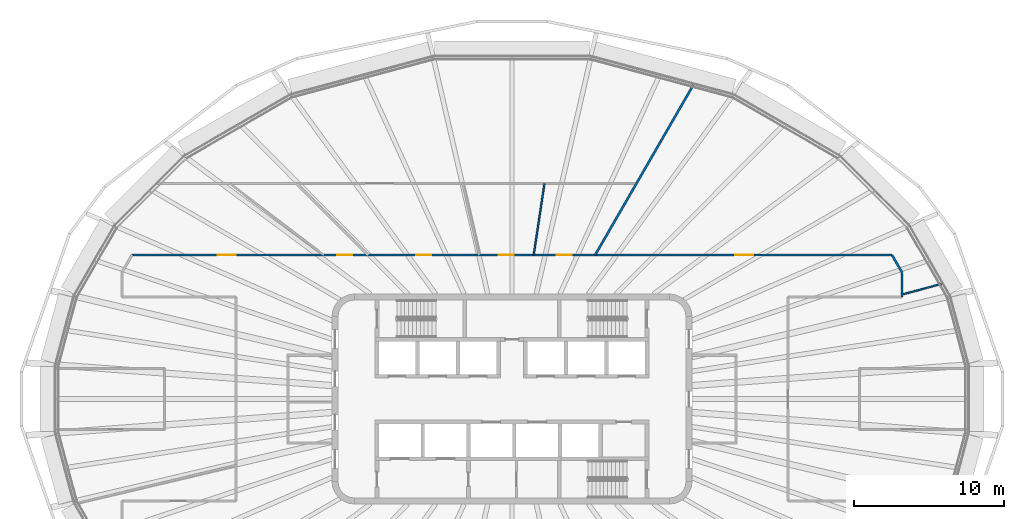
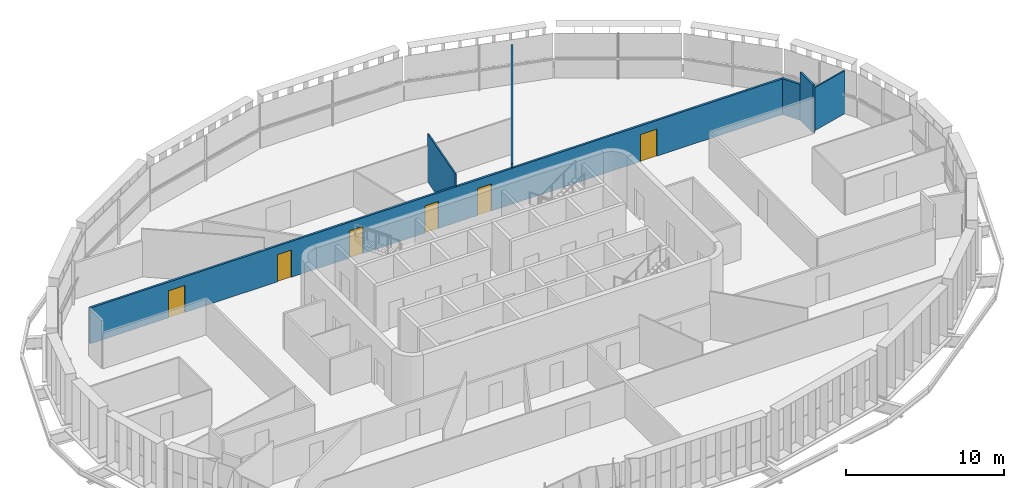
# One storey, part 13 of 20: 6 doors, 6 walls, 6 openings.
"""IFC4 building model written with IfcOpenShell, lengths in metres."""

from ifc_helpers import new_model, si_unit, direction, frame, frame_2d, origin, place, context, subcontext, project, spatial, rectangle, extrude, material, layer, layer_set, type_object, element, fill, save


model = new_model("IFC4")

# Units and contexts
model_context = context("Model", 3, precision=1e-05, world=origin(), true_north=direction((0.0, 1.0)))
body_context = subcontext(model_context, "Body", "Model", "MODEL_VIEW")
ifc_project = project(units=[si_unit("LENGTHUNIT", "METRE"), si_unit("AREAUNIT", "SQUARE_METRE"), si_unit("VOLUMEUNIT", "CUBIC_METRE"), si_unit("PLANEANGLEUNIT", "RADIAN"), si_unit("MASSUNIT", "GRAM", prefix="KILO")], contexts=[model_context])

# Site, building, storey
site_placement = place(None, origin())
site = spatial("IfcSite", under=ifc_project, at=site_placement, CompositionType="ELEMENT")
building_placement = place(site_placement, origin())
building = spatial("IfcBuilding", under=site, at=building_placement, Name="Sahrelin Media Tower", CompositionType="ELEMENT")
storey_placement = place(building_placement, frame((0.0, 0.0, 245.60009765625)))
storey = spatial("IfcBuildingStorey", under=building, at=storey_placement, Name="L53", CompositionType="ELEMENT", Elevation=245.60009765625)

# Wall
ifc_material_1 = material(Name="Fire-rated gypsum board partition")
ifc_layer_1 = layer(ifc_material_1, 0.14990234375)
ifc_layer_set_1 = layer_set([ifc_layer_1], Name="Fire-rated partition 150")
wall_type_1 = type_object("IfcWallType", Name="Fire-rated partition 150", PredefinedType="PARTITIONING", material=ifc_layer_set_1)
wall_1_placement = place(storey_placement, frame((25.3330078125, 9.60009765625, 0.0), z_axis=(0.0, 0.0, 1.0), x_axis=(0.500076310463, -0.865981341435, 0.0)))
element("IfcWall", 1, at=wall_1_placement, inside=storey, type_object=wall_type_1, Name="Wall", PredefinedType="PARTITIONING", context=body_context, shape_type="SweptSolid", body=[
    extrude(rectangle(XDim=1.333740234375, YDim=0.14990234375, at=frame_2d((0.6669921875, 0.0))), origin(), (0.0, 0.0, 1.0), 2.76806640625),
])

# Wall, openings, doors
wall_2_placement = place(storey_placement, frame((-25.3330078125, 9.60009765625, 0.0), z_axis=(0.0, 0.0, 1.0), x_axis=(1.0, 0.0, 0.0)))
wall_2 = element("IfcWall", 2, at=wall_2_placement, inside=storey, type_object=wall_type_1, Name="Wall", PredefinedType="PARTITIONING", context=body_context, shape_type="SweptSolid", body=[
    extrude(rectangle(XDim=50.666015625, YDim=0.14990234375, at=frame_2d((25.3330078125, 0.0))), origin(), (0.0, 0.0, 1.0), 2.76806640625),
])
opening_1_placement = place(wall_2_placement, frame((40.22119140625, 0.0, 0.0)))
opening_1 = element("IfcOpeningElement", 3, at=opening_1_placement, cuts=wall_2, Name="Opening L53-D17", PredefinedType="OPENING", context=body_context, shape_type="SweptSolid", body=[
    extrude(rectangle(XDim=1.199951171875, YDim=2.10009765625, at=frame_2d((0.60009765625, 1.050048828125))), frame((0.0, 0.074951171875, 0.0), z_axis=(0.0, -1.0, 0.0), x_axis=(1.0, 0.0, 0.0)), (0.0, 0.0, 1.0), 0.14990234375),
])
opening_2_placement = place(wall_2_placement, frame((28.327880859375, 0.0, 0.0)))
opening_2 = element("IfcOpeningElement", 4, at=opening_2_placement, cuts=wall_2, Name="Opening L53-D19", PredefinedType="OPENING", context=body_context, shape_type="SweptSolid", body=[
    extrude(rectangle(XDim=1.0, YDim=2.10009765625, at=frame_2d((0.5, 1.050048828125))), frame((0.0, 0.074951171875, 0.0), z_axis=(0.0, -1.0, 0.0), x_axis=(1.0, 0.0, 0.0)), (0.0, 0.0, 1.0), 0.14990234375),
])
opening_3_placement = place(wall_2_placement, frame((24.4609375, 0.0, 0.0)))
opening_3 = element("IfcOpeningElement", 5, at=opening_3_placement, cuts=wall_2, Name="Opening L53-D20", PredefinedType="OPENING", context=body_context, shape_type="SweptSolid", body=[
    extrude(rectangle(XDim=1.0, YDim=2.10009765625, at=frame_2d((0.5, 1.050048828125))), frame((0.0, 0.074951171875, 0.0), z_axis=(0.0, -1.0, 0.0), x_axis=(1.0, 0.0, 0.0)), (0.0, 0.0, 1.0), 0.14990234375),
])
opening_4_placement = place(wall_2_placement, frame((18.9375, 0.0, 0.0)))
opening_4 = element("IfcOpeningElement", 6, at=opening_4_placement, cuts=wall_2, Name="Opening L53-D21", PredefinedType="OPENING", context=body_context, shape_type="SweptSolid", body=[
    extrude(rectangle(XDim=1.0, YDim=2.10009765625, at=frame_2d((0.5, 1.050048828125))), frame((0.0, 0.074951171875, 0.0), z_axis=(0.0, -1.0, 0.0), x_axis=(1.0, 0.0, 0.0)), (0.0, 0.0, 1.0), 0.14990234375),
])
opening_5_placement = place(wall_2_placement, frame((13.6953125, 0.0, 0.0)))
opening_5 = element("IfcOpeningElement", 7, at=opening_5_placement, cuts=wall_2, Name="Opening L53-D23", PredefinedType="OPENING", context=body_context, shape_type="SweptSolid", body=[
    extrude(rectangle(XDim=1.0, YDim=2.10009765625, at=frame_2d((0.5, 1.050048828125))), frame((0.0, 0.074951171875, 0.0), z_axis=(0.0, -1.0, 0.0), x_axis=(1.0, 0.0, 0.0)), (0.0, 0.0, 1.0), 0.14990234375),
])
opening_6_placement = place(wall_2_placement, frame((5.733154296875, 0.0, 0.0)))
opening_6 = element("IfcOpeningElement", 8, at=opening_6_placement, cuts=wall_2, Name="Opening L53-D24", PredefinedType="OPENING", context=body_context, shape_type="SweptSolid", body=[
    extrude(rectangle(XDim=1.199951171875, YDim=2.10009765625, at=frame_2d((0.60009765625, 1.050048828125))), frame((0.0, 0.074951171875, 0.0), z_axis=(0.0, -1.0, 0.0), x_axis=(1.0, 0.0, 0.0)), (0.0, 0.0, 1.0), 0.14990234375),
])
ifc_material_2 = material(Name="Steel fire door leaf", Category="steel")
door_type_1 = type_object("IfcDoorType", Name="Fire door 1000 x 2100 EI 60", OperationType="NOTDEFINED", PredefinedType="DOOR", material=ifc_material_2)
door_1_placement = place(opening_2_placement, origin())
door_1 = element("IfcDoor", 9, at=door_1_placement, inside=storey, type_object=door_type_1, Name="Fire door", OperationType="SINGLE_SWING_RIGHT", OverallHeight=2.10009765625, OverallWidth=1.0, PredefinedType="DOOR", context=body_context, shape_type="SweptSolid", body=[
    extrude(rectangle(XDim=1.0, YDim=2.10009765625, at=frame_2d((0.5, 1.050048828125))), frame((0.0, 0.02490234375, 0.0), z_axis=(0.0, -1.0, 0.0), x_axis=(1.0, 0.0, 0.0)), (0.0, 0.0, 1.0), 0.050048828125),
])
fill(opening_2, door_1)
door_2_placement = place(opening_3_placement, origin())
door_2 = element("IfcDoor", 10, at=door_2_placement, inside=storey, type_object=door_type_1, Name="Fire door", OperationType="SINGLE_SWING_LEFT", OverallHeight=2.10009765625, OverallWidth=1.0, PredefinedType="DOOR", context=body_context, shape_type="SweptSolid", body=[
    extrude(rectangle(XDim=1.0, YDim=2.10009765625, at=frame_2d((0.5, 1.050048828125))), frame((0.0, 0.02490234375, 0.0), z_axis=(0.0, -1.0, 0.0), x_axis=(1.0, 0.0, 0.0)), (0.0, 0.0, 1.0), 0.050048828125),
])
fill(opening_3, door_2)
door_3_placement = place(opening_4_placement, origin())
door_3 = element("IfcDoor", 11, at=door_3_placement, inside=storey, type_object=door_type_1, Name="Fire door", OperationType="SINGLE_SWING_RIGHT", OverallHeight=2.10009765625, OverallWidth=1.0, PredefinedType="DOOR", context=body_context, shape_type="SweptSolid", body=[
    extrude(rectangle(XDim=1.0, YDim=2.10009765625, at=frame_2d((0.5, 1.050048828125))), frame((0.0, 0.02490234375, 0.0), z_axis=(0.0, -1.0, 0.0), x_axis=(1.0, 0.0, 0.0)), (0.0, 0.0, 1.0), 0.050048828125),
])
fill(opening_4, door_3)
door_4_placement = place(opening_5_placement, origin())
door_4 = element("IfcDoor", 12, at=door_4_placement, inside=storey, type_object=door_type_1, Name="Fire door", OperationType="SINGLE_SWING_RIGHT", OverallHeight=2.10009765625, OverallWidth=1.0, PredefinedType="DOOR", context=body_context, shape_type="SweptSolid", body=[
    extrude(rectangle(XDim=1.0, YDim=2.10009765625, at=frame_2d((0.5, 1.050048828125))), frame((0.0, 0.02490234375, 0.0), z_axis=(0.0, -1.0, 0.0), x_axis=(1.0, 0.0, 0.0)), (0.0, 0.0, 1.0), 0.050048828125),
])
fill(opening_5, door_4)
door_type_2 = type_object("IfcDoorType", Name="Service double door 1200 x 2100 EI 60", OperationType="DOUBLE_DOOR_SINGLE_SWING", PredefinedType="DOOR", material=ifc_material_2)
door_5_placement = place(opening_1_placement, origin())
door_5 = element("IfcDoor", 13, at=door_5_placement, inside=storey, type_object=door_type_2, Name="Service double door", OperationType="DOUBLE_DOOR_SINGLE_SWING", OverallHeight=2.10009765625, OverallWidth=1.199951171875, PredefinedType="DOOR", context=body_context, shape_type="SweptSolid", body=[
    extrude(rectangle(XDim=1.199951171875, YDim=2.10009765625, at=frame_2d((0.60009765625, 1.050048828125))), frame((0.0, 0.02490234375, 0.0), z_axis=(0.0, -1.0, 0.0), x_axis=(1.0, 0.0, 0.0)), (0.0, 0.0, 1.0), 0.050048828125),
])
fill(opening_1, door_5)
door_6_placement = place(opening_6_placement, origin())
door_6 = element("IfcDoor", 14, at=door_6_placement, inside=storey, type_object=door_type_2, Name="Service double door", OperationType="DOUBLE_DOOR_SINGLE_SWING", OverallHeight=2.10009765625, OverallWidth=1.199951171875, PredefinedType="DOOR", context=body_context, shape_type="SweptSolid", body=[
    extrude(rectangle(XDim=1.199951171875, YDim=2.10009765625, at=frame_2d((0.60009765625, 1.050048828125))), frame((0.0, 0.02490234375, 0.0), z_axis=(0.0, -1.0, 0.0), x_axis=(1.0, 0.0, 0.0)), (0.0, 0.0, 1.0), 0.050048828125),
])
fill(opening_6, door_6)

# Walls
wall_3_placement = place(storey_placement, frame((5.54296875, 9.60009765625, 0.0), z_axis=(0.0, 0.0, 1.0), x_axis=(0.500044242988, 0.865999858577, 0.0)))
element("IfcWall", 15, at=wall_3_placement, inside=storey, type_object=wall_type_1, Name="Wall", PredefinedType="PARTITIONING", context=body_context, shape_type="SweptSolid", body=[
    extrude(rectangle(XDim=13.178466796875, YDim=0.14990234375, at=frame_2d((6.58935546875, 0.0))), origin(), (0.0, 0.0, 1.0), 3.077392578125),
])
wall_4_placement = place(storey_placement, frame((26.0, 6.800048828125, 0.0), z_axis=(0.0, 0.0, 1.0), x_axis=(0.0, 1.0, 0.0)))
element("IfcWall", 16, at=wall_4_placement, inside=storey, type_object=wall_type_1, Name="Wall", PredefinedType="PARTITIONING", context=body_context, shape_type="SweptSolid", body=[
    extrude(rectangle(XDim=1.64501953125, YDim=0.14990234375, at=frame_2d((0.822509765625, 0.0))), origin(), (0.0, 0.0, 1.0), 3.699951171875),
])
ifc_material_3 = material(Name="Gypsum board partition")
ifc_layer_2 = layer(ifc_material_3, 0.10009765625)
ifc_layer_set_2 = layer_set([ifc_layer_2], Name="Partition 100")
wall_type_2 = type_object("IfcWallType", Name="Partition 100", PredefinedType="PARTITIONING", material=ifc_layer_set_2)
wall_5_placement = place(storey_placement, frame((26.0, 6.966064453125, 0.0), z_axis=(0.0, 0.0, 1.0), x_axis=(0.965951508514, 0.258723178704, 0.0)))
element("IfcWall", 17, at=wall_5_placement, inside=storey, type_object=wall_type_2, Name="Wall", PredefinedType="PARTITIONING", context=body_context, shape_type="SweptSolid", body=[
    extrude(rectangle(XDim=2.836669921875, YDim=0.10009765625, at=frame_2d((1.41845703125, 0.0))), origin(), (0.0, 0.0, 1.0), 3.324951171875),
])
wall_6_placement = place(storey_placement, frame((1.447021484375, 9.60009765625, 0.0), z_axis=(0.0, 0.0, 1.0), x_axis=(0.149156325557, 0.988813627812, 0.0)))
element("IfcWall", 18, at=wall_6_placement, inside=storey, type_object=wall_type_2, Name="Wall", PredefinedType="PARTITIONING", context=body_context, shape_type="SweptSolid", body=[
    extrude(rectangle(XDim=4.81396484375, YDim=0.10009765625, at=frame_2d((2.406982421875, 0.0))), origin(), (0.0, 0.0, 1.0), 3.699951171875),
])

save(model, "model.ifc")
